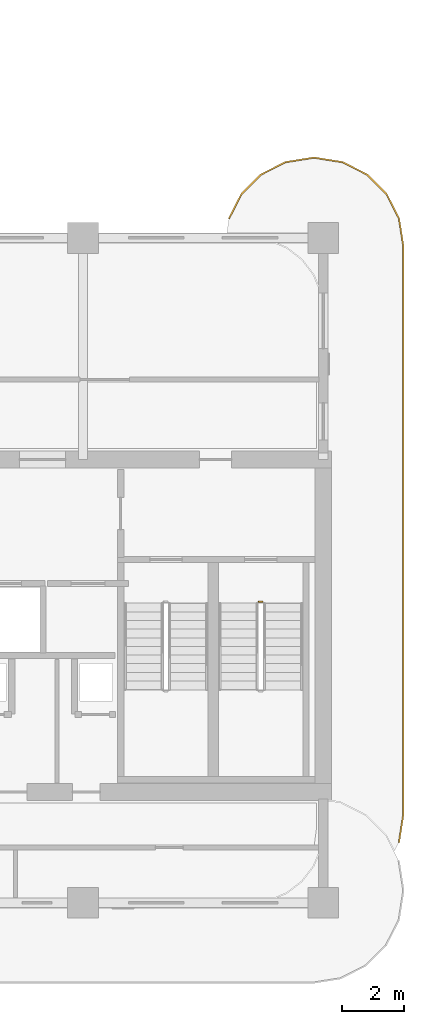
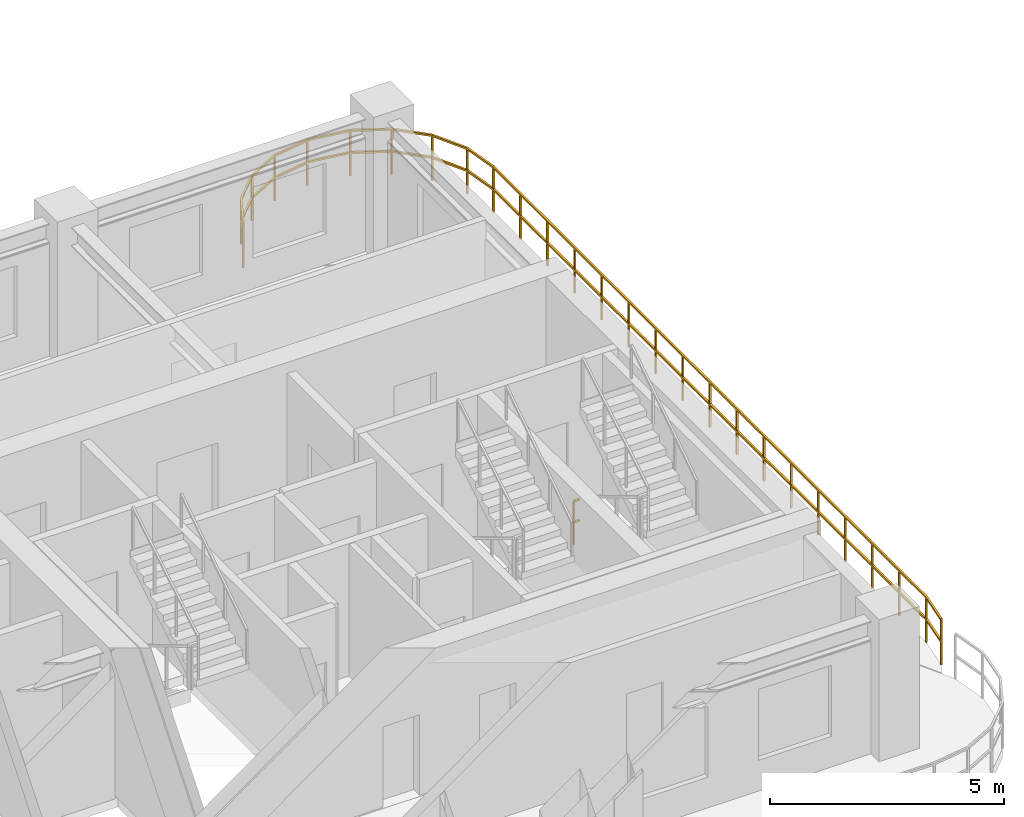
# One storey, part 18 of 20: 2 railings.
"""IFC4 building model written with IfcOpenShell, lengths in metres."""

import ifcopenshell
import ifcopenshell.guid

model = None  # the IFC model being written
_history = None  # IfcOwnerHistory: only IFC2X3 demands one
_inside = {}  # id of a spatial element -> (the spatial element, [elements in it])
_under = {}  # id of a project, library or spatial element -> (it, [spatial elements below it])
_declared = {}  # id of a project -> (the project, [libraries it declares])
_typed = {}  # id of a type object -> (the type object, [elements of that type])
_made_of = {}  # id of a material, layer set ... -> (it, [elements and type objects made of it])


def new_model(schema):
    """Start an empty IFC model of exactly this schema.

    Asked for "IFC4X3", IfcOpenShell would pick the latest addendum, in which some entities
    have other attributes; the version numbers below select the first issue.
    IFC2X3 requires an IfcOwnerHistory on every rooted entity: one is made here for all.
    """
    global model, _history
    if schema == "IFC4X3":
        model = ifcopenshell.file(schema_version=(4, 3, 0, 0))
    else:
        model = ifcopenshell.file(schema=schema)
    _inside.clear()
    _under.clear()
    _declared.clear()
    _typed.clear()
    _made_of.clear()
    _history = None
    if model.schema == "IFC2X3":
        org = make("IfcOrganization", Name="unknown")
        user = make(
            "IfcPersonAndOrganization",
            ThePerson=make("IfcPerson", FamilyName="unknown"),
            TheOrganization=org,
        )
        app = make(
            "IfcApplication",
            ApplicationDeveloper=org,
            Version="unknown",
            ApplicationFullName="unknown",
            ApplicationIdentifier="unknown",
        )
        _history = make(
            "IfcOwnerHistory",
            OwningUser=user,
            OwningApplication=app,
            ChangeAction="ADDED",
            CreationDate=0,
        )
    return model


def make(cls, **values):
    """One entity of the class cls with the attributes given. An attribute that is None is left unset."""
    return model.create_entity(
        cls, **{name: value for name, value in values.items() if value is not None}
    )


def rooted(cls, **values):
    """An entity with a GlobalId (a new one), such as an element, a storey or a relation."""
    return make(cls, GlobalId=ifcopenshell.guid.new(), OwnerHistory=_history, **values)


def si_unit(unit_type, name, prefix=None):
    """IfcSIUnit, for example si_unit("LENGTHUNIT", "METRE", prefix="MILLI")."""
    return make("IfcSIUnit", UnitType=unit_type, Prefix=prefix, Name=name)


def derived_unit(unit_type, elements):
    """IfcDerivedUnit: a product of units, each with its exponent."""
    return make(
        "IfcDerivedUnit",
        Elements=[
            make("IfcDerivedUnitElement", Unit=unit, Exponent=power)
            for unit, power in elements
        ],
        UnitType=unit_type,
    )


def assignment(units):
    """IfcUnitAssignment: the units of a project."""
    return None if units is None else make("IfcUnitAssignment", Units=units)


def point(xyz):
    """IfcCartesianPoint."""
    return None if xyz is None else make("IfcCartesianPoint", Coordinates=xyz)


def direction(xyz):
    """IfcDirection."""
    return None if xyz is None else make("IfcDirection", DirectionRatios=xyz)


def frame(location, z_axis=None, x_axis=None):
    """IfcAxis2Placement3D, a coordinate frame: its origin and axes. An axis left out is left unset."""
    return make(
        "IfcAxis2Placement3D",
        Location=point(location),
        Axis=direction(z_axis),
        RefDirection=direction(x_axis),
    )


def frame_2d(location, x_axis=None):
    """IfcAxis2Placement2D, a coordinate frame in the plane: its origin and x axis."""
    return make(
        "IfcAxis2Placement2D", Location=point(location), RefDirection=direction(x_axis)
    )


def origin():
    """The frame at (0, 0, 0) with its axes left unset."""
    return frame((0.0, 0.0, 0.0))


def origin_2d():
    """The frame at (0, 0) in the plane with its x axis left unset."""
    return frame_2d((0.0, 0.0))


def place(relative_to, where):
    """IfcLocalPlacement: puts the frame where relative to a parent placement (None: the world)."""
    return make(
        "IfcLocalPlacement", PlacementRelTo=relative_to, RelativePlacement=where
    )


def context(
    kind, dimensions, precision=None, world=None, true_north=None, identifier=None
):
    """IfcGeometricRepresentationContext, for example the 3D "Model" context."""
    return make(
        "IfcGeometricRepresentationContext",
        ContextIdentifier=identifier,
        ContextType=kind,
        CoordinateSpaceDimension=dimensions,
        Precision=precision,
        WorldCoordinateSystem=world,
        TrueNorth=true_north,
    )


def subcontext(parent, identifier, kind, view, scale=None):
    """IfcGeometricRepresentationSubContext, for example "Body" below "Model"."""
    return make(
        "IfcGeometricRepresentationSubContext",
        ContextIdentifier=identifier,
        ContextType=kind,
        ParentContext=parent,
        TargetScale=scale,
        TargetView=view,
    )


def project(units=None, contexts=None):
    """IfcProject with its units and contexts."""
    return rooted(
        "IfcProject",
        Name="project",
        RepresentationContexts=contexts,
        UnitsInContext=assignment(units),
    )


def spatial(cls, under=None, at=None, **own):
    """A site, building, storey or space (cls), placed at a placement, below another one or the project."""
    s = rooted(cls, ObjectPlacement=at, **own)
    if under is not None:
        _under.setdefault(under.id(), (under, []))[1].append(s)
    return s


def profile(cls, at=None, kind="AREA", **sizes):
    """A parametric profile (cls). Its sizes go by their IFC names, for example OverallWidth=200.0."""
    return make(cls, ProfileType=kind, Position=at, **sizes)


def rectangle(**sizes):
    """IfcRectangleProfileDef."""
    return profile("IfcRectangleProfileDef", **sizes)


def extrude(swept, where, along, depth):
    """IfcExtrudedAreaSolid: the profile swept, set in the frame where, extruded along a direction by depth."""
    return make(
        "IfcExtrudedAreaSolid",
        SweptArea=swept,
        Position=where,
        ExtrudedDirection=direction(along),
        Depth=depth,
    )


def shape(context_of_items, identifier, shape_type, items):
    """IfcShapeRepresentation: the items that make up one representation, for example the "Body"."""
    return make(
        "IfcShapeRepresentation",
        ContextOfItems=context_of_items,
        RepresentationIdentifier=identifier,
        RepresentationType=shape_type,
        Items=items,
    )


def material(Name=None, Category=None):
    """IfcMaterial."""
    return make("IfcMaterial", Name=Name, Category=Category)


def made_of(thing, what):
    """Note that an element or type object is made of a material, layer set ...; save() writes the relation."""
    if what is not None:
        _made_of.setdefault(what.id(), (what, []))[1].append(thing)
    return thing


def type_object(cls, material=None, **own):
    """A type object (cls), such as IfcWallType, which elements share."""
    return made_of(rooted(cls, **own), material)


def element(
    cls,
    number,
    at=None,
    inside=None,
    cuts=None,
    type_object=None,
    material=None,
    context=None,
    identifier="Body",
    shape_type=None,
    held_by="IfcProductDefinitionShape",
    body=None,
    shapes=None,
    **own,
):
    """One element of the class cls, such as IfcWall. Its Tag is "e" and its number.

    at: its placement. inside: the storey or other place that contains it. cuts: it is an
    opening in that element (IfcRelVoidsElement). A single representation is given by context,
    identifier, shape_type and body (its items); several are given by shapes. held_by: the class
    of the entity that holds the representations. save() writes the other relations.
    """
    e = rooted(cls, Tag="e%d" % number, ObjectPlacement=at, **own)
    if body is not None:
        shapes = [shape(context, identifier, shape_type, body)]
    if shapes is not None:
        e.Representation = make(held_by, Representations=shapes)
    if inside is not None:
        _inside.setdefault(inside.id(), (inside, []))[1].append(e)
    if cuts is not None:
        rooted(
            "IfcRelVoidsElement", RelatingBuildingElement=cuts, RelatedOpeningElement=e
        )
    if type_object is not None:
        _typed.setdefault(type_object.id(), (type_object, []))[1].append(e)
    return made_of(e, material)


def aggregate(whole, parts):
    """IfcRelAggregates: a whole, such as a stair, and the parts it consists of."""
    return rooted("IfcRelAggregates", RelatingObject=whole, RelatedObjects=parts)


def save(model, path):
    """Write the relations noted so far, then the file.

    IfcRelAggregates (storeys below a building ...), IfcRelContainedInSpatialStructure (elements
    in a storey), IfcRelDefinesByType, IfcRelAssociatesMaterial and IfcRelDeclares: one each for
    every whole, place, type object, material and project.
    """
    for whole, parts in _under.values():
        aggregate(whole, parts)
    for where, things in _inside.values():
        rooted(
            "IfcRelContainedInSpatialStructure",
            RelatedElements=things,
            RelatingStructure=where,
        )
    for kind, things in _typed.values():
        rooted("IfcRelDefinesByType", RelatedObjects=things, RelatingType=kind)
    for what, things in _made_of.values():
        rooted("IfcRelAssociatesMaterial", RelatedObjects=things, RelatingMaterial=what)
    for by, libraries in _declared.values():
        rooted("IfcRelDeclares", RelatingContext=by, RelatedDefinitions=libraries)
    model.write(path)


model = new_model("IFC4")

# Units and contexts
model_context = context("Model", 3, precision=1e-05, world=origin(), true_north=direction((0.0, 1.0)))
body_context = subcontext(model_context, "Body", "Model", "MODEL_VIEW")
ifc_project = project(units=[si_unit("LENGTHUNIT", "METRE"), si_unit("AREAUNIT", "SQUARE_METRE"), si_unit("VOLUMEUNIT", "CUBIC_METRE"), si_unit("PLANEANGLEUNIT", "RADIAN"), si_unit("MASSUNIT", "GRAM", prefix="KILO"), si_unit("THERMODYNAMICTEMPERATUREUNIT", "KELVIN"), si_unit("POWERUNIT", "WATT"), derived_unit("THERMALTRANSMITTANCEUNIT", [(si_unit("POWERUNIT", "WATT"), 1), (si_unit("AREAUNIT", "SQUARE_METRE"), -1), (si_unit("THERMODYNAMICTEMPERATUREUNIT", "KELVIN"), -1)])], contexts=[model_context])

# Site, building, storey
site_placement = place(None, origin())
site = spatial("IfcSite", under=ifc_project, at=site_placement, CompositionType="ELEMENT")
building_placement = place(site_placement, origin())
building = spatial("IfcBuilding", under=site, at=building_placement, Name="Zahravan Archway Hotel and Residences", CompositionType="ELEMENT")
storey_placement = place(building_placement, frame((0.0, 0.0, 130.300048828125)))
storey = spatial("IfcBuildingStorey", under=building, at=storey_placement, Name="L32", CompositionType="ELEMENT", Elevation=130.300048828125)

# Railings
ifc_material_1 = material(Name="Bronze & Laminated Glass Balustrade", Category="glass")
railing_type_1 = type_object("IfcRailingType", Name="RL-BAL-1200", PredefinedType="BALUSTRADE", material=ifc_material_1)
railing_1_placement = place(storey_placement, frame((46.739501953125, 22.230712890625, 0.0)))
element("IfcRailing", 1, at=railing_1_placement, inside=storey, type_object=railing_type_1, Name="L32 Balustrade RL-SLB-BAL-L32-EA-1", PredefinedType="BALUSTRADE", context=body_context, shape_type="SweptSolid", body=[
    extrude(rectangle(XDim=0.048095703125, YDim=0.048095703125, at=origin_2d()), frame((0.0, 0.0, 1.17578125), z_axis=(0.453991409995, 0.891006060389, 0.0), x_axis=(-0.891006060389, 0.453991409995, 0.0)), (0.0, 0.0, 1.0), 0.8916015625),
    extrude(rectangle(XDim=0.048095703125, YDim=0.048095703125, at=origin_2d()), frame((0.0, 0.0, 0.60009765625), z_axis=(0.453991409995, 0.891006060389, 0.0), x_axis=(-0.891006060389, 0.453991409995, 0.0)), (0.0, 0.0, 1.0), 0.8916015625),
    extrude(rectangle(XDim=0.048095703125, YDim=0.048095703125, at=origin_2d()), frame((0.40478515625, 0.79443359375, 1.17578125), z_axis=(0.707106781187, 0.707106781187, 0.0), x_axis=(-0.707106781187, 0.707106781187, 0.0)), (0.0, 0.0, 1.0), 0.891845703125),
    extrude(rectangle(XDim=0.048095703125, YDim=0.048095703125, at=origin_2d()), frame((0.40478515625, 0.79443359375, 0.60009765625), z_axis=(0.707106781187, 0.707106781187, 0.0), x_axis=(-0.707106781187, 0.707106781187, 0.0)), (0.0, 0.0, 1.0), 0.891845703125),
    extrude(rectangle(XDim=0.048095703125, YDim=0.048095703125, at=origin_2d()), frame((1.035400390625, 1.425048828125, 1.17578125), z_axis=(0.891006060389, 0.453991409995, 0.0), x_axis=(-0.453991409995, 0.891006060389, 0.0)), (0.0, 0.0, 1.0), 0.8916015625),
    extrude(rectangle(XDim=0.048095703125, YDim=0.048095703125, at=origin_2d()), frame((1.035400390625, 1.425048828125, 0.60009765625), z_axis=(0.891006060389, 0.453991409995, 0.0), x_axis=(-0.453991409995, 0.891006060389, 0.0)), (0.0, 0.0, 1.0), 0.8916015625),
    extrude(rectangle(XDim=0.048095703125, YDim=0.048095703125, at=origin_2d()), frame((1.829833984375, 1.829833984375, 1.17578125), z_axis=(0.987700720307, 0.156356282588, 0.0), x_axis=(-0.156356282588, 0.987700720307, 0.0)), (0.0, 0.0, 1.0), 0.8916015625),
    extrude(rectangle(XDim=0.048095703125, YDim=0.048095703125, at=origin_2d()), frame((1.829833984375, 1.829833984375, 0.60009765625), z_axis=(0.987700720307, 0.156356282588, 0.0), x_axis=(-0.156356282588, 0.987700720307, 0.0)), (0.0, 0.0, 1.0), 0.8916015625),
    extrude(rectangle(XDim=0.048095703125, YDim=0.048095703125, at=origin_2d()), frame((2.71044921875, 1.96923828125, 1.17578125), z_axis=(1.0, 0.0, 0.0), x_axis=(0.0, 1.0, 0.0)), (0.0, 0.0, 1.0), 0.10009765625),
    extrude(rectangle(XDim=0.048095703125, YDim=0.048095703125, at=origin_2d()), frame((2.71044921875, 1.96923828125, 0.60009765625), z_axis=(1.0, 0.0, 0.0), x_axis=(0.0, 1.0, 0.0)), (0.0, 0.0, 1.0), 0.10009765625),
    extrude(rectangle(XDim=0.048095703125, YDim=0.048095703125, at=origin_2d()), frame((2.810546875, 1.96923828125, 1.17578125), z_axis=(0.987700720307, -0.156356282588, 0.0), x_axis=(0.156356282588, 0.987700720307, 0.0)), (0.0, 0.0, 1.0), 0.8916015625),
    extrude(rectangle(XDim=0.048095703125, YDim=0.048095703125, at=origin_2d()), frame((2.810546875, 1.96923828125, 0.60009765625), z_axis=(0.987700720307, -0.156356282588, 0.0), x_axis=(0.156356282588, 0.987700720307, 0.0)), (0.0, 0.0, 1.0), 0.8916015625),
    extrude(rectangle(XDim=0.048095703125, YDim=0.048095703125, at=origin_2d()), frame((3.691162109375, 1.829833984375, 1.17578125), z_axis=(0.891006060389, -0.453991409995, 0.0), x_axis=(0.453991409995, 0.891006060389, 0.0)), (0.0, 0.0, 1.0), 0.8916015625),
    extrude(rectangle(XDim=0.048095703125, YDim=0.048095703125, at=origin_2d()), frame((3.691162109375, 1.829833984375, 0.60009765625), z_axis=(0.891006060389, -0.453991409995, 0.0), x_axis=(0.453991409995, 0.891006060389, 0.0)), (0.0, 0.0, 1.0), 0.8916015625),
    extrude(rectangle(XDim=0.048095703125, YDim=0.048095703125, at=origin_2d()), frame((4.485595703125, 1.425048828125, 1.17578125), z_axis=(0.707106781187, -0.707106781187, 0.0), x_axis=(0.707106781187, 0.707106781187, 0.0)), (0.0, 0.0, 1.0), 0.891845703125),
    extrude(rectangle(XDim=0.048095703125, YDim=0.048095703125, at=origin_2d()), frame((4.485595703125, 1.425048828125, 0.60009765625), z_axis=(0.707106781187, -0.707106781187, 0.0), x_axis=(0.707106781187, 0.707106781187, 0.0)), (0.0, 0.0, 1.0), 0.891845703125),
    extrude(rectangle(XDim=0.048095703125, YDim=0.048095703125, at=origin_2d()), frame((5.1162109375, 0.79443359375, 1.17578125), z_axis=(0.453991409995, -0.891006060389, 0.0), x_axis=(0.891006060389, 0.453991409995, 0.0)), (0.0, 0.0, 1.0), 0.8916015625),
    extrude(rectangle(XDim=0.048095703125, YDim=0.048095703125, at=origin_2d()), frame((5.1162109375, 0.79443359375, 0.60009765625), z_axis=(0.453991409995, -0.891006060389, 0.0), x_axis=(0.891006060389, 0.453991409995, 0.0)), (0.0, 0.0, 1.0), 0.8916015625),
    extrude(rectangle(XDim=0.048095703125, YDim=0.048095703125, at=origin_2d()), frame((5.52099609375, 0.0, 1.17578125), z_axis=(0.156356282588, -0.987700720307, 0.0), x_axis=(0.987700720307, 0.156356282588, 0.0)), (0.0, 0.0, 1.0), 0.8916015625),
    extrude(rectangle(XDim=0.048095703125, YDim=0.048095703125, at=origin_2d()), frame((5.52099609375, 0.0, 0.60009765625), z_axis=(0.156356282588, -0.987700720307, 0.0), x_axis=(0.987700720307, 0.156356282588, 0.0)), (0.0, 0.0, 1.0), 0.8916015625),
    extrude(rectangle(XDim=0.048095703125, YDim=0.048095703125, at=origin_2d()), frame((5.660400390625, -0.880615234375, 1.17578125), z_axis=(0.0, -1.0, 0.0), x_axis=(1.0, 0.0, 0.0)), (0.0, 0.0, 1.0), 18.5),
    extrude(rectangle(XDim=0.048095703125, YDim=0.048095703125, at=origin_2d()), frame((5.660400390625, -0.880615234375, 0.60009765625), z_axis=(0.0, -1.0, 0.0), x_axis=(1.0, 0.0, 0.0)), (0.0, 0.0, 1.0), 18.5),
    extrude(rectangle(XDim=0.048095703125, YDim=0.048095703125, at=origin_2d()), frame((5.660400390625, -19.380615234375, 1.17578125), z_axis=(-0.156314005608, -0.987707411965, 0.0), x_axis=(0.987707411965, -0.156314005608, 0.0)), (0.0, 0.0, 1.0), 0.891845703125),
    extrude(rectangle(XDim=0.048095703125, YDim=0.048095703125, at=origin_2d()), frame((5.660400390625, -19.380615234375, 0.60009765625), z_axis=(-0.156314005608, -0.987707411965, 0.0), x_axis=(0.987707411965, -0.156314005608, 0.0)), (0.0, 0.0, 1.0), 0.891845703125),
    extrude(rectangle(XDim=0.0419921875, YDim=0.0419921875, at=origin_2d()), origin(), (0.0, 0.0, 1.0), 1.15185546875),
    extrude(rectangle(XDim=0.0419921875, YDim=0.0419921875, at=origin_2d()), frame((0.40478515625, 0.79443359375, 0.0)), (0.0, 0.0, 1.0), 1.15185546875),
    extrude(rectangle(XDim=0.0419921875, YDim=0.0419921875, at=origin_2d()), frame((1.035400390625, 1.425048828125, 0.0)), (0.0, 0.0, 1.0), 1.15185546875),
    extrude(rectangle(XDim=0.0419921875, YDim=0.0419921875, at=origin_2d()), frame((1.829833984375, 1.829833984375, 0.0)), (0.0, 0.0, 1.0), 1.15185546875),
    extrude(rectangle(XDim=0.0419921875, YDim=0.0419921875, at=origin_2d()), frame((2.71044921875, 1.96923828125, 0.0)), (0.0, 0.0, 1.0), 1.15185546875),
    extrude(rectangle(XDim=0.0419921875, YDim=0.0419921875, at=origin_2d()), frame((3.691162109375, 1.829833984375, 0.0)), (0.0, 0.0, 1.0), 1.15185546875),
    extrude(rectangle(XDim=0.0419921875, YDim=0.0419921875, at=origin_2d()), frame((4.485595703125, 1.425048828125, 0.0)), (0.0, 0.0, 1.0), 1.15185546875),
    extrude(rectangle(XDim=0.0419921875, YDim=0.0419921875, at=origin_2d()), frame((5.1162109375, 0.79443359375, 0.0)), (0.0, 0.0, 1.0), 1.15185546875),
    extrude(rectangle(XDim=0.0419921875, YDim=0.0419921875, at=origin_2d()), frame((5.52099609375, 0.0, 0.0)), (0.0, 0.0, 1.0), 1.15185546875),
    extrude(rectangle(XDim=0.0419921875, YDim=0.0419921875, at=origin_2d()), frame((5.660400390625, -0.880615234375, 0.0)), (0.0, 0.0, 1.0), 1.15185546875),
    extrude(rectangle(XDim=0.0419921875, YDim=0.0419921875, at=origin_2d()), frame((5.660400390625, -2.036865234375, 0.0)), (0.0, 0.0, 1.0), 1.15185546875),
    extrude(rectangle(XDim=0.0419921875, YDim=0.0419921875, at=origin_2d()), frame((5.660400390625, -3.193115234375, 0.0)), (0.0, 0.0, 1.0), 1.15185546875),
    extrude(rectangle(XDim=0.0419921875, YDim=0.0419921875, at=origin_2d()), frame((5.660400390625, -4.349365234375, 0.0)), (0.0, 0.0, 1.0), 1.15185546875),
    extrude(rectangle(XDim=0.0419921875, YDim=0.0419921875, at=origin_2d()), frame((5.660400390625, -5.505615234375, 0.0)), (0.0, 0.0, 1.0), 1.15185546875),
    extrude(rectangle(XDim=0.0419921875, YDim=0.0419921875, at=origin_2d()), frame((5.660400390625, -6.661865234375, 0.0)), (0.0, 0.0, 1.0), 1.15185546875),
    extrude(rectangle(XDim=0.0419921875, YDim=0.0419921875, at=origin_2d()), frame((5.660400390625, -7.818115234375, 0.0)), (0.0, 0.0, 1.0), 1.15185546875),
    extrude(rectangle(XDim=0.0419921875, YDim=0.0419921875, at=origin_2d()), frame((5.660400390625, -8.974365234375, 0.0)), (0.0, 0.0, 1.0), 1.15185546875),
    extrude(rectangle(XDim=0.0419921875, YDim=0.0419921875, at=origin_2d()), frame((5.660400390625, -10.130615234375, 0.0)), (0.0, 0.0, 1.0), 1.15185546875),
    extrude(rectangle(XDim=0.0419921875, YDim=0.0419921875, at=origin_2d()), frame((5.660400390625, -11.286865234375, 0.0)), (0.0, 0.0, 1.0), 1.15185546875),
    extrude(rectangle(XDim=0.0419921875, YDim=0.0419921875, at=origin_2d()), frame((5.660400390625, -12.443115234375, 0.0)), (0.0, 0.0, 1.0), 1.15185546875),
    extrude(rectangle(XDim=0.0419921875, YDim=0.0419921875, at=origin_2d()), frame((5.660400390625, -13.599365234375, 0.0)), (0.0, 0.0, 1.0), 1.15185546875),
    extrude(rectangle(XDim=0.0419921875, YDim=0.0419921875, at=origin_2d()), frame((5.660400390625, -14.755615234375, 0.0)), (0.0, 0.0, 1.0), 1.15185546875),
    extrude(rectangle(XDim=0.0419921875, YDim=0.0419921875, at=origin_2d()), frame((5.660400390625, -15.911865234375, 0.0)), (0.0, 0.0, 1.0), 1.15185546875),
    extrude(rectangle(XDim=0.0419921875, YDim=0.0419921875, at=origin_2d()), frame((5.660400390625, -17.068115234375, 0.0)), (0.0, 0.0, 1.0), 1.15185546875),
    extrude(rectangle(XDim=0.0419921875, YDim=0.0419921875, at=origin_2d()), frame((5.660400390625, -18.224365234375, 0.0)), (0.0, 0.0, 1.0), 1.15185546875),
    extrude(rectangle(XDim=0.0419921875, YDim=0.0419921875, at=origin_2d()), frame((5.660400390625, -19.380615234375, 0.0)), (0.0, 0.0, 1.0), 1.15185546875),
    extrude(rectangle(XDim=0.0419921875, YDim=0.0419921875, at=origin_2d()), frame((5.52099609375, -20.261474609375, 0.0)), (0.0, 0.0, 1.0), 1.15185546875),
])
ifc_material_2 = material(Name="Painted Tubular Steel", Category="steel")
railing_type_2 = type_object("IfcRailingType", Name="RL-STG-1150", PredefinedType="GUARDRAIL", material=ifc_material_2)
railing_2_placement = place(storey_placement, frame((47.699951171875, 9.780029296875, 0.0)))
element("IfcRailing", 2, at=railing_2_placement, inside=storey, type_object=railing_type_2, Name="L32 ST-A3 stair guard 4", PredefinedType="GUARDRAIL", context=body_context, shape_type="SweptSolid", body=[
    extrude(rectangle(XDim=0.048095703125, YDim=0.048095703125, at=origin_2d()), frame((0.0, 0.0, 1.1259765625), z_axis=(1.0, 0.0, 0.0), x_axis=(0.0, 1.0, 0.0)), (0.0, 0.0, 1.0), 0.14013671875),
    extrude(rectangle(XDim=0.048095703125, YDim=0.048095703125, at=origin_2d()), frame((0.0, 0.0, 0.574951171875), z_axis=(1.0, 0.0, 0.0), x_axis=(0.0, 1.0, 0.0)), (0.0, 0.0, 1.0), 0.14013671875),
    extrude(rectangle(XDim=0.0419921875, YDim=0.0419921875, at=origin_2d()), origin(), (0.0, 0.0, 1.0), 1.101806640625),
])

save(model, "model.ifc")
